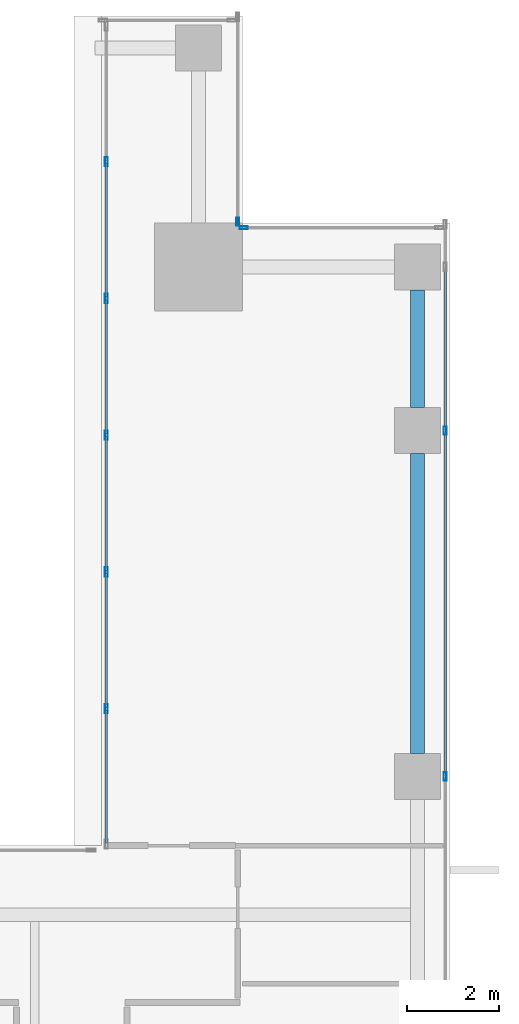
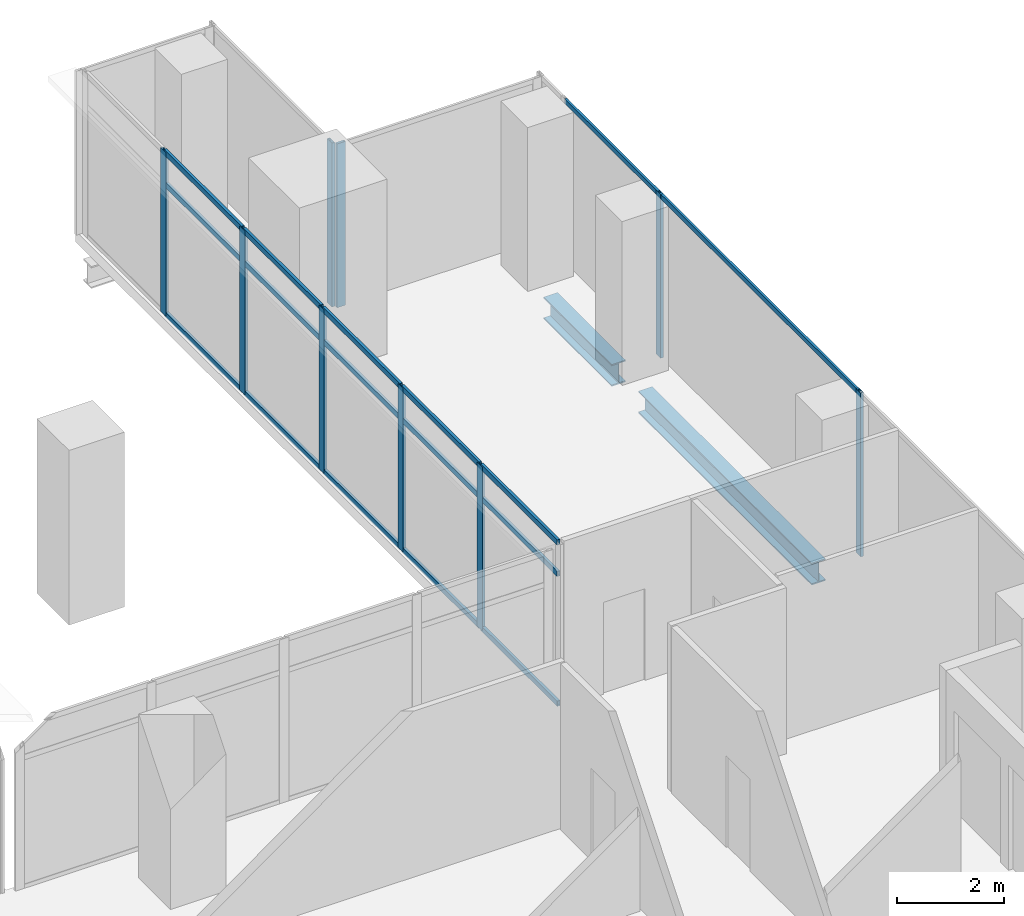
# One storey, part 24 of 37: 26 members, 2 beams, 4 elements without a shape of their own.
"""IFC4 building model written with IfcOpenShell, lengths in metres."""

from ifc_helpers import new_model, si_unit, direction, frame, origin, origin_2d, place, context, subcontext, project, spatial, hollow_rectangle, i_section, extrude, source, transform, mapped, material, material_profile, profile_set, type_object, element, aggregate, save


model = new_model("IFC4")

# Units and contexts
model_context = context("Model", 3, precision=1e-05, world=origin(), true_north=direction((0.0, 1.0)))
body_context = subcontext(model_context, "Body", "Model", "MODEL_VIEW")
ifc_project = project(units=[si_unit("LENGTHUNIT", "METRE"), si_unit("AREAUNIT", "SQUARE_METRE"), si_unit("VOLUMEUNIT", "CUBIC_METRE"), si_unit("PLANEANGLEUNIT", "RADIAN"), si_unit("MASSUNIT", "GRAM", prefix="KILO")], contexts=[model_context])

# Site, building, storey
site_placement = place(None, origin())
site = spatial("IfcSite", under=ifc_project, at=site_placement, CompositionType="ELEMENT")
building_placement = place(site_placement, origin())
building = spatial("IfcBuilding", under=site, at=building_placement, Name="Khomas Fold Tower", CompositionType="ELEMENT")
storey_placement = place(building_placement, frame((0.0, 0.0, 168.699951171875)))
storey = spatial("IfcBuildingStorey", under=building, at=storey_placement, Name="L36", CompositionType="ELEMENT", Elevation=168.699951171875)

# Beams
ifc_material_1 = material(Name="Steel S355", Category="steel")
ifc_material_profile_1 = material_profile(ifc_material_1, i_section(OverallWidth=0.300048828125, OverallDepth=0.5, WebThickness=0.014404296875, FlangeThickness=0.028076171875, at=origin_2d()), Name="HE 500 B")
ifc_profile_set_1 = profile_set([ifc_material_profile_1], Name="Steel S355")
beam_type = type_object("IfcBeamType", Name="HE 500 B spandrel SB3", PredefinedType="SPANDREL", material=ifc_profile_set_1)
shared_shape_1 = source(origin(), body_context, "Body", "SweptSolid", [
    extrude(i_section(OverallWidth=0.300048828125, OverallDepth=0.5, WebThickness=0.014404296875, FlangeThickness=0.028076171875, at=origin_2d()), origin(), (0.0, 0.0, 1.0), 2.550048828125),
])
beam_1_placement = place(storey_placement, frame((50.300048828125, 42.5, -0.5), z_axis=(0.0, 1.0, 0.0), x_axis=(-1.0, 0.0, 0.0)))
element("IfcBeam", 1, at=beam_1_placement, inside=storey, type_object=beam_type, Name="SB3", PredefinedType="SPANDREL", context=body_context, shape_type="MappedRepresentation", body=[
    mapped(shared_shape_1, transform((0.0, 0.0, 0.0))),
])
shared_shape_2 = source(origin(), body_context, "Body", "SweptSolid", [
    extrude(i_section(OverallWidth=0.300048828125, OverallDepth=0.5, WebThickness=0.014404296875, FlangeThickness=0.028076171875, at=origin_2d()), origin(), (0.0, 0.0, 1.0), 6.5),
])
beam_2_placement = place(storey_placement, frame((50.300048828125, 35.0, -0.5), z_axis=(0.0, 1.0, 0.0), x_axis=(-1.0, 0.0, 0.0)))
element("IfcBeam", 2, at=beam_2_placement, inside=storey, type_object=beam_type, Name="SB3", PredefinedType="SPANDREL", context=body_context, shape_type="MappedRepresentation", body=[
    mapped(shared_shape_2, transform((0.0, 0.0, 0.0))),
])

# Curtain wall, members
ifc_material_2 = material(Name="Aluminium framed double glazing", Category="aluminium")
curtain_wall_type_1 = type_object("IfcCurtainWallType", Name="SK-Unitised clear-glass wall, office floors CW2", PredefinedType="NOTDEFINED", material=ifc_material_2)
curtain_wall_1_placement = place(storey_placement, origin())
curtain_wall_1 = element("IfcCurtainWall", 3, at=curtain_wall_1_placement, inside=storey, type_object=curtain_wall_type_1, Name="CW2 run L36 08-1", PredefinedType="NOTDEFINED")
ifc_material_3 = material(Name="Aluminium", Category="aluminium")
ifc_material_profile_2 = material_profile(ifc_material_3, hollow_rectangle(XDim=0.06005859375, YDim=0.179931640625, WallThickness=0.00390625, at=origin_2d()), Name="SK-Unitised clear-glass wall, office floors mullion CW2-M")
ifc_profile_set_2 = profile_set([ifc_material_profile_2], Name="Aluminium")
member_type_1 = type_object("IfcMemberType", Name="SK-Unitised clear-glass wall, office floors mullion CW2-M", PredefinedType="MULLION", material=ifc_profile_set_2)
shared_shape_3 = source(origin(), body_context, "Body", "SweptSolid", [
    extrude(hollow_rectangle(XDim=0.06005859375, YDim=0.179931640625, WallThickness=0.00390625, at=origin_2d()), origin(), (0.0, 0.0, 1.0), 3.75),
])
member_1_placement = place(storey_placement, frame((50.89990234375, 34.5, 0.0), z_axis=(0.0, 0.0, 1.0), x_axis=(-1.0, 0.0, 0.0)))
member_1 = element("IfcMember", 4, at=member_1_placement, type_object=member_type_1, Name="CW2 mullion 3", PredefinedType="MULLION", context=body_context, shape_type="MappedRepresentation", body=[
    mapped(shared_shape_3, transform((0.0, 0.0, 0.0))),
])
member_2_placement = place(storey_placement, frame((50.89990234375, 42.0, 0.0), z_axis=(0.0, 0.0, 1.0), x_axis=(-1.0, 0.0, 0.0)))
member_2 = element("IfcMember", 5, at=member_2_placement, type_object=member_type_1, Name="CW2 mullion 4", PredefinedType="MULLION", context=body_context, shape_type="MappedRepresentation", body=[
    mapped(shared_shape_3, transform((0.0, 0.0, 0.0))),
])

# Curtain wall, member
curtain_wall_2_placement = place(storey_placement, origin())
curtain_wall_2 = element("IfcCurtainWall", 6, at=curtain_wall_2_placement, inside=storey, type_object=curtain_wall_type_1, Name="CW2 corner return L36 09", PredefinedType="NOTDEFINED")
member_3_placement = place(storey_placement, frame((46.530029296875, 46.39990234375, 0.0), z_axis=(0.0, 0.0, 1.0), x_axis=(0.0, -1.0, 0.0)))
member_3 = element("IfcMember", 7, at=member_3_placement, type_object=member_type_1, Name="CW2 mullion 2", PredefinedType="MULLION", context=body_context, shape_type="MappedRepresentation", body=[
    mapped(shared_shape_3, transform((0.0, 0.0, 0.0))),
])
aggregate(curtain_wall_2, [member_3])

curtain_wall_3_placement = place(storey_placement, origin())
curtain_wall_3 = element("IfcCurtainWall", 8, at=curtain_wall_3_placement, inside=storey, type_object=curtain_wall_type_1, Name="CW2 corner return L36 10", PredefinedType="NOTDEFINED")
member_4_placement = place(storey_placement, frame((46.39990234375, 46.530029296875, 0.0), z_axis=(0.0, 0.0, 1.0), x_axis=(-1.0, 0.0, 0.0)))
member_4 = element("IfcMember", 9, at=member_4_placement, type_object=member_type_1, Name="CW2 mullion 1", PredefinedType="MULLION", context=body_context, shape_type="MappedRepresentation", body=[
    mapped(shared_shape_3, transform((0.0, 0.0, 0.0))),
])
aggregate(curtain_wall_3, [member_4])

# Member
ifc_material_4 = material(Name="Aluminium", Category="aluminium")
ifc_material_profile_3 = material_profile(ifc_material_4, hollow_rectangle(XDim=0.050048828125, YDim=0.110107421875, WallThickness=0.00390625, at=origin_2d()), Name="SK-Unitised clear-glass wall, office floors transom CW2-T")
ifc_profile_set_3 = profile_set([ifc_material_profile_3], Name="Aluminium")
member_type_2 = type_object("IfcMemberType", Name="SK-Unitised clear-glass wall, office floors transom CW2-T", PredefinedType="USERDEFINED", material=ifc_profile_set_3)
shared_shape_4 = source(origin(), body_context, "Body", "SweptSolid", [
    extrude(hollow_rectangle(XDim=0.050048828125, YDim=0.110107421875, WallThickness=0.00390625, at=origin_2d()), origin(), (0.0, 0.0, 1.0), 3.489990234375),
])
member_5_placement = place(storey_placement, frame((50.89990234375, 42.030029296875, 3.695068359375), z_axis=(0.0, 1.0, 0.0), x_axis=(-1.0, 0.0, 0.0)))
member_5 = element("IfcMember", 10, at=member_5_placement, type_object=member_type_2, Name="CW2 transom 4", ObjectType="TRANSOM", PredefinedType="USERDEFINED", context=body_context, shape_type="MappedRepresentation", body=[
    mapped(shared_shape_4, transform((0.0, 0.0, 0.0))),
])

shared_shape_5 = source(origin(), body_context, "Body", "SweptSolid", [
    extrude(hollow_rectangle(XDim=0.050048828125, YDim=0.110107421875, WallThickness=0.00390625, at=origin_2d()), origin(), (0.0, 0.0, 1.0), 7.43994140625),
])
member_6_placement = place(storey_placement, frame((50.89990234375, 34.530029296875, 3.695068359375), z_axis=(0.0, 1.0, 0.0), x_axis=(-1.0, 0.0, 0.0)))
member_6 = element("IfcMember", 11, at=member_6_placement, type_object=member_type_2, Name="CW2 transom 3", ObjectType="TRANSOM", PredefinedType="USERDEFINED", context=body_context, shape_type="MappedRepresentation", body=[
    mapped(shared_shape_5, transform((0.0, 0.0, 0.0))),
])

aggregate(curtain_wall_1, [member_1, member_2, member_6, member_5])

# Curtain wall, members
ifc_material_5 = material(Name="Aluminium framed double glazing", Category="aluminium")
curtain_wall_type_2 = type_object("IfcCurtainWallType", Name="Notch glazing GN-CW", PredefinedType="NOTDEFINED", material=ifc_material_5)
curtain_wall_4_placement = place(storey_placement, origin())
curtain_wall_4 = element("IfcCurtainWall", 12, at=curtain_wall_4_placement, inside=storey, type_object=curtain_wall_type_2, Name="Notch glazing run", PredefinedType="NOTDEFINED")
ifc_material_6 = material(Name="Aluminium", Category="aluminium")
ifc_material_profile_4 = material_profile(ifc_material_6, hollow_rectangle(XDim=0.06005859375, YDim=0.1201171875, WallThickness=0.00390625, at=origin_2d()), Name="Notch glazing transom GN-CW-T")
ifc_profile_set_4 = profile_set([ifc_material_profile_4], Name="Aluminium")
member_type_3 = type_object("IfcMemberType", Name="Notch glazing transom GN-CW-T", PredefinedType="USERDEFINED", material=ifc_profile_set_4)
shared_shape_6 = source(origin(), body_context, "Body", "SweptSolid", [
    extrude(hollow_rectangle(XDim=0.06005859375, YDim=0.1201171875, WallThickness=0.00390625, at=origin_2d()), origin(), (0.0, 0.0, 1.0), 2.876708984375),
])
member_7_placement = place(storey_placement, frame((43.550048828125, 35.936767578125, 0.030029296875), z_axis=(0.0, -1.0, 0.0), x_axis=(1.0, 0.0, 0.0)))
member_7 = element("IfcMember", 13, at=member_7_placement, type_object=member_type_3, Name="GN-CW transom 6.1", ObjectType="TRANSOM", PredefinedType="USERDEFINED", context=body_context, shape_type="MappedRepresentation", body=[
    mapped(shared_shape_6, transform((0.0, 0.0, 0.0))),
])
member_8_placement = place(storey_placement, frame((43.550048828125, 35.936767578125, 3.0), z_axis=(0.0, -1.0, 0.0), x_axis=(1.0, 0.0, 0.0)))
member_8 = element("IfcMember", 14, at=member_8_placement, type_object=member_type_3, Name="GN-CW transom 6.2", ObjectType="TRANSOM", PredefinedType="USERDEFINED", context=body_context, shape_type="MappedRepresentation", body=[
    mapped(shared_shape_6, transform((0.0, 0.0, 0.0))),
])
member_9_placement = place(storey_placement, frame((43.550048828125, 35.936767578125, 3.719970703125), z_axis=(0.0, -1.0, 0.0), x_axis=(1.0, 0.0, 0.0)))
member_9 = element("IfcMember", 15, at=member_9_placement, type_object=member_type_3, Name="GN-CW transom 6.3", ObjectType="TRANSOM", PredefinedType="USERDEFINED", context=body_context, shape_type="MappedRepresentation", body=[
    mapped(shared_shape_6, transform((0.0, 0.0, 0.0))),
])
shared_shape_7 = source(origin(), body_context, "Body", "SweptSolid", [
    extrude(hollow_rectangle(XDim=0.06005859375, YDim=0.1201171875, WallThickness=0.00390625, at=origin_2d()), origin(), (0.0, 0.0, 1.0), 2.90673828125),
])
member_10_placement = place(storey_placement, frame((43.550048828125, 44.836669921875, 0.030029296875), z_axis=(0.0, -1.0, 0.0), x_axis=(1.0, 0.0, 0.0)))
member_10 = element("IfcMember", 16, at=member_10_placement, type_object=member_type_3, Name="GN-CW transom 3.1", ObjectType="TRANSOM", PredefinedType="USERDEFINED", context=body_context, shape_type="MappedRepresentation", body=[
    mapped(shared_shape_7, transform((0.0, 0.0, 0.0))),
])
member_11_placement = place(storey_placement, frame((43.550048828125, 44.836669921875, 3.0), z_axis=(0.0, -1.0, 0.0), x_axis=(1.0, 0.0, 0.0)))
member_11 = element("IfcMember", 17, at=member_11_placement, type_object=member_type_3, Name="GN-CW transom 3.2", ObjectType="TRANSOM", PredefinedType="USERDEFINED", context=body_context, shape_type="MappedRepresentation", body=[
    mapped(shared_shape_7, transform((0.0, 0.0, 0.0))),
])
member_12_placement = place(storey_placement, frame((43.550048828125, 44.836669921875, 3.719970703125), z_axis=(0.0, -1.0, 0.0), x_axis=(1.0, 0.0, 0.0)))
member_12 = element("IfcMember", 18, at=member_12_placement, type_object=member_type_3, Name="GN-CW transom 3.3", ObjectType="TRANSOM", PredefinedType="USERDEFINED", context=body_context, shape_type="MappedRepresentation", body=[
    mapped(shared_shape_7, transform((0.0, 0.0, 0.0))),
])
member_13_placement = place(storey_placement, frame((43.550048828125, 41.8701171875, 0.030029296875), z_axis=(0.0, -1.0, 0.0), x_axis=(1.0, 0.0, 0.0)))
member_13 = element("IfcMember", 19, at=member_13_placement, type_object=member_type_3, Name="GN-CW transom 4.1", ObjectType="TRANSOM", PredefinedType="USERDEFINED", context=body_context, shape_type="MappedRepresentation", body=[
    mapped(shared_shape_7, transform((0.0, 0.0, 0.0))),
])
member_14_placement = place(storey_placement, frame((43.550048828125, 41.8701171875, 3.0), z_axis=(0.0, -1.0, 0.0), x_axis=(1.0, 0.0, 0.0)))
member_14 = element("IfcMember", 20, at=member_14_placement, type_object=member_type_3, Name="GN-CW transom 4.2", ObjectType="TRANSOM", PredefinedType="USERDEFINED", context=body_context, shape_type="MappedRepresentation", body=[
    mapped(shared_shape_7, transform((0.0, 0.0, 0.0))),
])
member_15_placement = place(storey_placement, frame((43.550048828125, 41.8701171875, 3.719970703125), z_axis=(0.0, -1.0, 0.0), x_axis=(1.0, 0.0, 0.0)))
member_15 = element("IfcMember", 21, at=member_15_placement, type_object=member_type_3, Name="GN-CW transom 4.3", ObjectType="TRANSOM", PredefinedType="USERDEFINED", context=body_context, shape_type="MappedRepresentation", body=[
    mapped(shared_shape_7, transform((0.0, 0.0, 0.0))),
])
member_16_placement = place(storey_placement, frame((43.550048828125, 38.9033203125, 0.030029296875), z_axis=(0.0, -1.0, 0.0), x_axis=(1.0, 0.0, 0.0)))
member_16 = element("IfcMember", 22, at=member_16_placement, type_object=member_type_3, Name="GN-CW transom 5.1", ObjectType="TRANSOM", PredefinedType="USERDEFINED", context=body_context, shape_type="MappedRepresentation", body=[
    mapped(shared_shape_7, transform((0.0, 0.0, 0.0))),
])
member_17_placement = place(storey_placement, frame((43.550048828125, 38.9033203125, 3.0), z_axis=(0.0, -1.0, 0.0), x_axis=(1.0, 0.0, 0.0)))
member_17 = element("IfcMember", 23, at=member_17_placement, type_object=member_type_3, Name="GN-CW transom 5.2", ObjectType="TRANSOM", PredefinedType="USERDEFINED", context=body_context, shape_type="MappedRepresentation", body=[
    mapped(shared_shape_7, transform((0.0, 0.0, 0.0))),
])
member_18_placement = place(storey_placement, frame((43.550048828125, 38.9033203125, 3.719970703125), z_axis=(0.0, -1.0, 0.0), x_axis=(1.0, 0.0, 0.0)))
member_18 = element("IfcMember", 24, at=member_18_placement, type_object=member_type_3, Name="GN-CW transom 5.3", ObjectType="TRANSOM", PredefinedType="USERDEFINED", context=body_context, shape_type="MappedRepresentation", body=[
    mapped(shared_shape_7, transform((0.0, 0.0, 0.0))),
])
shared_shape_8 = source(origin(), body_context, "Body", "SweptSolid", [
    extrude(hollow_rectangle(XDim=0.06005859375, YDim=0.1201171875, WallThickness=0.00390625, at=origin_2d()), origin(), (0.0, 0.0, 1.0), 2.906494140625),
])
member_19_placement = place(storey_placement, frame((43.550048828125, 47.80322265625, 0.030029296875), z_axis=(0.0, -1.0, 0.0), x_axis=(1.0, 0.0, 0.0)))
member_19 = element("IfcMember", 25, at=member_19_placement, type_object=member_type_3, Name="GN-CW transom 2.1", ObjectType="TRANSOM", PredefinedType="USERDEFINED", context=body_context, shape_type="MappedRepresentation", body=[
    mapped(shared_shape_8, transform((0.0, 0.0, 0.0))),
])
member_20_placement = place(storey_placement, frame((43.550048828125, 47.80322265625, 3.0), z_axis=(0.0, -1.0, 0.0), x_axis=(1.0, 0.0, 0.0)))
member_20 = element("IfcMember", 26, at=member_20_placement, type_object=member_type_3, Name="GN-CW transom 2.2", ObjectType="TRANSOM", PredefinedType="USERDEFINED", context=body_context, shape_type="MappedRepresentation", body=[
    mapped(shared_shape_8, transform((0.0, 0.0, 0.0))),
])
member_21_placement = place(storey_placement, frame((43.550048828125, 47.80322265625, 3.719970703125), z_axis=(0.0, -1.0, 0.0), x_axis=(1.0, 0.0, 0.0)))
member_21 = element("IfcMember", 27, at=member_21_placement, type_object=member_type_3, Name="GN-CW transom 2.3", ObjectType="TRANSOM", PredefinedType="USERDEFINED", context=body_context, shape_type="MappedRepresentation", body=[
    mapped(shared_shape_8, transform((0.0, 0.0, 0.0))),
])
ifc_material_7 = material(Name="Aluminium", Category="aluminium")
ifc_material_profile_5 = material_profile(ifc_material_7, hollow_rectangle(XDim=0.06005859375, YDim=0.199951171875, WallThickness=0.00390625, at=origin_2d()), Name="Notch glazing mullion GN-CW-M")
ifc_profile_set_5 = profile_set([ifc_material_profile_5], Name="Aluminium")
member_type_4 = type_object("IfcMemberType", Name="Notch glazing mullion GN-CW-M", PredefinedType="MULLION", material=ifc_profile_set_5)
shared_shape_9 = source(origin(), body_context, "Body", "SweptSolid", [
    extrude(hollow_rectangle(XDim=0.06005859375, YDim=0.199951171875, WallThickness=0.00390625, at=origin_2d()), origin(), (0.0, 0.0, 1.0), 3.75),
])
member_22_placement = place(storey_placement, frame((43.550048828125, 47.833251953125, 0.0), z_axis=(0.0, 0.0, 1.0), x_axis=(1.0, 0.0, 0.0)))
member_22 = element("IfcMember", 28, at=member_22_placement, type_object=member_type_4, Name="GN-CW mullion 2", PredefinedType="MULLION", context=body_context, shape_type="MappedRepresentation", body=[
    mapped(shared_shape_9, transform((0.0, 0.0, 0.0))),
])
member_23_placement = place(storey_placement, frame((43.550048828125, 44.86669921875, 0.0), z_axis=(0.0, 0.0, 1.0), x_axis=(1.0, 0.0, 0.0)))
member_23 = element("IfcMember", 29, at=member_23_placement, type_object=member_type_4, Name="GN-CW mullion 3", PredefinedType="MULLION", context=body_context, shape_type="MappedRepresentation", body=[
    mapped(shared_shape_9, transform((0.0, 0.0, 0.0))),
])
member_24_placement = place(storey_placement, frame((43.550048828125, 41.89990234375, 0.0), z_axis=(0.0, 0.0, 1.0), x_axis=(1.0, 0.0, 0.0)))
member_24 = element("IfcMember", 30, at=member_24_placement, type_object=member_type_4, Name="GN-CW mullion 4", PredefinedType="MULLION", context=body_context, shape_type="MappedRepresentation", body=[
    mapped(shared_shape_9, transform((0.0, 0.0, 0.0))),
])
member_25_placement = place(storey_placement, frame((43.550048828125, 38.933349609375, 0.0), z_axis=(0.0, 0.0, 1.0), x_axis=(1.0, 0.0, 0.0)))
member_25 = element("IfcMember", 31, at=member_25_placement, type_object=member_type_4, Name="GN-CW mullion 5", PredefinedType="MULLION", context=body_context, shape_type="MappedRepresentation", body=[
    mapped(shared_shape_9, transform((0.0, 0.0, 0.0))),
])
member_26_placement = place(storey_placement, frame((43.550048828125, 35.966552734375, 0.0), z_axis=(0.0, 0.0, 1.0), x_axis=(1.0, 0.0, 0.0)))
member_26 = element("IfcMember", 32, at=member_26_placement, type_object=member_type_4, Name="GN-CW mullion 6", PredefinedType="MULLION", context=body_context, shape_type="MappedRepresentation", body=[
    mapped(shared_shape_9, transform((0.0, 0.0, 0.0))),
])
aggregate(curtain_wall_4, [member_22, member_23, member_24, member_25, member_26, member_19, member_20, member_21, member_10, member_11, member_12, member_13, member_14, member_15, member_16, member_17, member_18, member_7, member_8, member_9])

save(model, "model.ifc")
